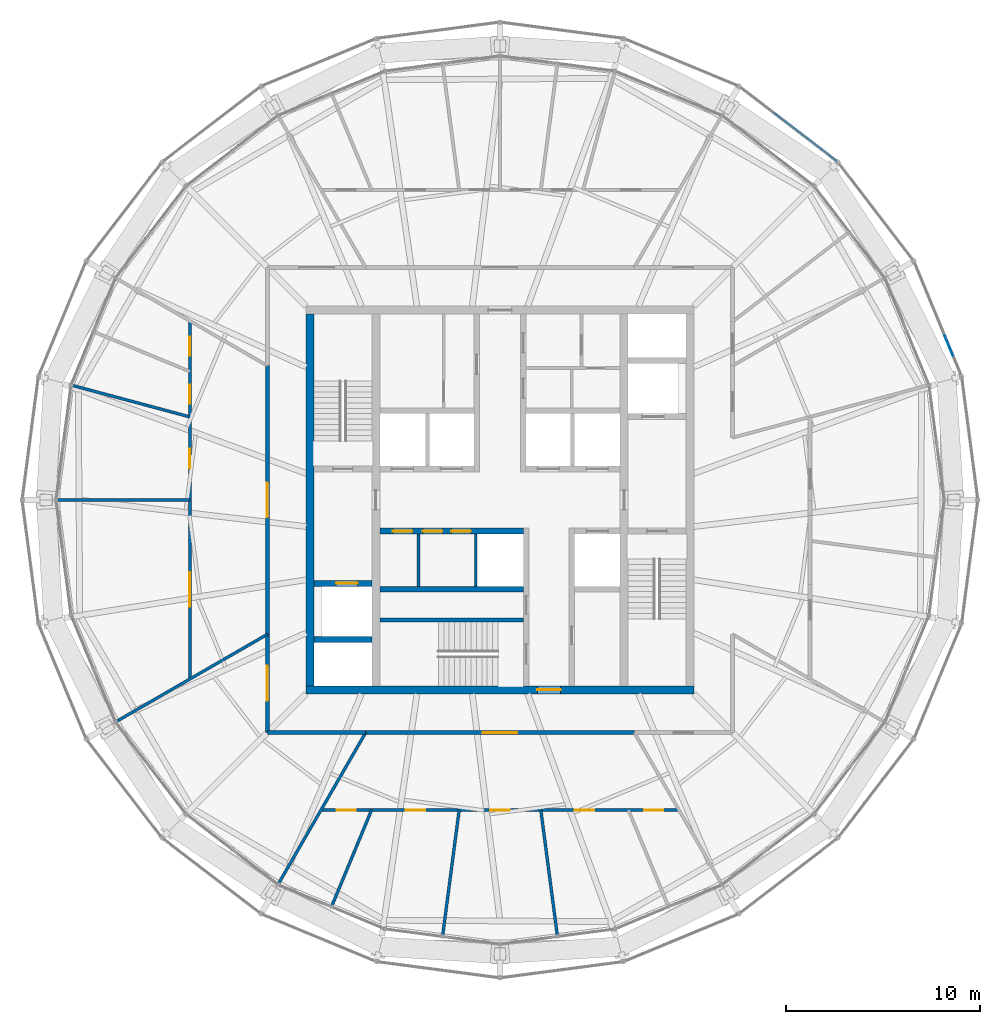
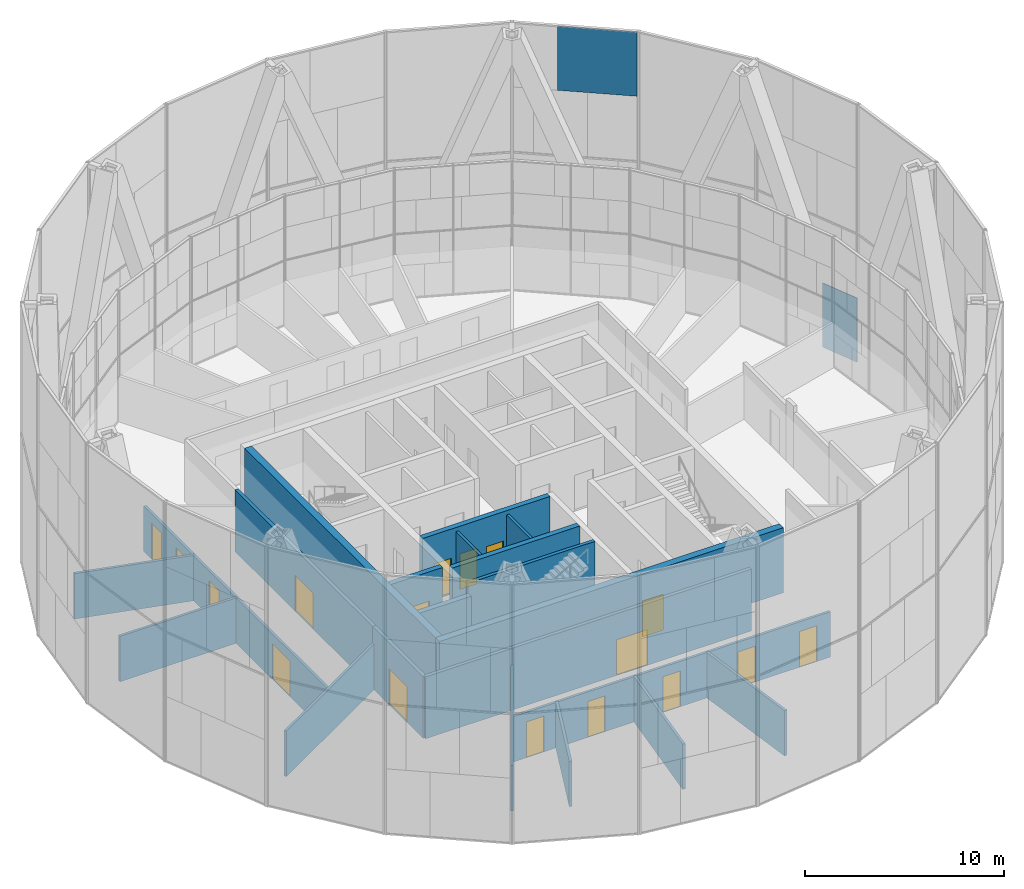
# One storey, part 19 of 23: 22 walls, 17 doors, 2 plates, 17 openings, 2 elements without a shape of their own.
"""IFC4 building model written with IfcOpenShell, lengths in metres."""

from ifc_helpers import new_model, si_unit, direction, frame, frame_2d, origin, origin_2d, place, context, subcontext, project, spatial, rectangle, extrude, material, layer, layer_set, type_object, element, fill, aggregate, save


model = new_model("IFC4")

# Units and contexts
model_context = context("Model", 3, precision=1e-05, world=origin(), true_north=direction((0.0, 1.0)))
body_context = subcontext(model_context, "Body", "Model", "MODEL_VIEW")
ifc_project = project(units=[si_unit("LENGTHUNIT", "METRE"), si_unit("AREAUNIT", "SQUARE_METRE"), si_unit("VOLUMEUNIT", "CUBIC_METRE"), si_unit("PLANEANGLEUNIT", "RADIAN"), si_unit("MASSUNIT", "GRAM", prefix="KILO")], contexts=[model_context])

# Site, building, storey
site_placement = place(None, origin())
site = spatial("IfcSite", under=ifc_project, at=site_placement, CompositionType="ELEMENT")
building_placement = place(site_placement, origin())
building = spatial("IfcBuilding", under=site, at=building_placement, Name="Golbaran Civic Tower", CompositionType="ELEMENT")
storey_placement = place(building_placement, frame((0.0, 0.0, 232.0)))
storey = spatial("IfcBuildingStorey", under=building, at=storey_placement, Name="L56", CompositionType="ELEMENT", Elevation=232.0)

# Curtain wall, plate
ifc_material_1 = material(Name="Aluminium and glass", Category="aluminium")
curtain_wall_type = type_object("IfcCurtainWallType", Name="OUTER SKIN TERRACOTTA SCREEN", PredefinedType="NOTDEFINED", material=ifc_material_1)
curtain_wall_1_placement = place(storey_placement, origin())
curtain_wall_1 = element("IfcCurtainWall", 1, at=curtain_wall_1_placement, inside=storey, type_object=curtain_wall_type, Name="Outer skin L56 facet 4 CW3", ObjectType="OUTER SKIN", PredefinedType="USERDEFINED")
ifc_material_2 = material(Name="Clear laminated glass", Category="glass")
ifc_layer_1 = layer(ifc_material_2, 0.0400390625, Name="Clear laminated glass")
ifc_layer_set_1 = layer_set([ifc_layer_1], Name="Clear laminated glass")
plate_type_1 = type_object("IfcPlateType", Name="OUTER SKIN CLEAR GLASS PANEL", PredefinedType="CURTAIN_PANEL", material=ifc_layer_set_1)
plate_1_placement = place(storey_placement, frame((15.767578125, 18.712158203125, 11.27001953125), z_axis=(0.0, 0.0, 1.0), x_axis=(-0.793353340291, 0.608761429009, 0.0)))
plate_1 = element("IfcPlate", 2, at=plate_1_placement, type_object=plate_type_1, Name="CW3 panel 1.2 part 4", PredefinedType="CURTAIN_PANEL", context=body_context, shape_type="SweptSolid", body=[
    extrude(rectangle(XDim=4.0400390625, YDim=0.0400390625, at=origin_2d()), origin(), (0.0, 0.0, 1.0), 3.93994140625),
])
aggregate(curtain_wall_1, [plate_1])

curtain_wall_2_placement = place(storey_placement, origin())
curtain_wall_2 = element("IfcCurtainWall", 3, at=curtain_wall_2_placement, inside=storey, type_object=curtain_wall_type, Name="Outer skin L56 facet 2 CW3", ObjectType="OUTER SKIN", PredefinedType="USERDEFINED")
ifc_material_3 = material(Name="Terracotta baguette screen", Category="masonry")
ifc_layer_2 = layer(ifc_material_3, 0.0400390625, Name="Terracotta baguette screen")
ifc_layer_set_2 = layer_set([ifc_layer_2], Name="Terracotta baguette screen")
plate_type_2 = type_object("IfcPlateType", Name="OUTER SKIN TERRACOTTA INFILL PANEL", PredefinedType="CURTAIN_PANEL", material=ifc_layer_set_2)
plate_2_placement = place(storey_placement, frame((23.3662109375, 7.46435546875, -0.6298828125), z_axis=(0.0, 0.0, 1.0), x_axis=(-0.382683432381, 0.923879532505, 0.0)))
plate_2 = element("IfcPlate", 4, at=plate_2_placement, type_object=plate_type_2, Name="CW3 infill panel 1.1 part 1", PredefinedType="CURTAIN_PANEL", context=body_context, shape_type="SweptSolid", body=[
    extrude(rectangle(XDim=2.18505859375, YDim=0.0400390625, at=origin_2d()), origin(), (0.0, 0.0, 1.0), 3.93994140625),
])
aggregate(curtain_wall_2, [plate_2])

# Walls
ifc_material_4 = material(Name="Concrete block", Category="concrete")
ifc_layer_3 = layer(ifc_material_4, 0.14990234375, Name="Concrete block")
ifc_layer_set_3 = layer_set([ifc_layer_3], Name="Concrete block")
wall_type_1 = type_object("IfcWallType", Name="BLOCKWORK PARTITION 150", PredefinedType="PARTITIONING", material=ifc_layer_set_3)
for number, where, z_axis, x_axis, name in (
    (5, (-4.199951171875, -1.75, 0.0), (0.0, 0.0, 1.0), (0.0, -1.0, 0.0), "Core room partition HP0 L56"),
    (6, (-1.25, -1.75, 0.0), (0.0, 0.0, 1.0), (0.0, -1.0, 0.0), "Lift H3 hoistway west wall L56"),
):
    element("IfcWall", number, at=place(storey_placement, frame(where, z_axis=z_axis, x_axis=x_axis)), inside=storey, type_object=wall_type_1, Name=name, PredefinedType="PARTITIONING", context=body_context, shape_type="SweptSolid", body=[
        extrude(rectangle(XDim=2.699951171875, YDim=0.14990234375, at=frame_2d((1.35009765625, 0.0))), origin(), (0.0, 0.0, 1.0), 3.75),
    ])

# Wall, opening, door
ifc_material_5 = material(Name="Concrete C50/60", Category="concrete")
ifc_layer_4 = layer(ifc_material_5, 0.39990234375, Name="Concrete C50/60")
ifc_layer_set_4 = layer_set([ifc_layer_4], Name="Concrete C50/60")
wall_type_2 = type_object("IfcWallType", Name="CORE WALL CONCRETE 400", PredefinedType="SOLIDWALL", material=ifc_layer_set_4)
wall_1_placement = place(storey_placement, frame((10.0, -9.800048828125, 0.0), z_axis=(0.0, 0.0, 1.0), x_axis=(-1.0, 0.0, 0.0)))
wall_1 = element("IfcWall", 7, at=wall_1_placement, inside=storey, type_object=wall_type_2, Name="Core wall CS L56", PredefinedType="SOLIDWALL", context=body_context, shape_type="SweptSolid", body=[
    extrude(rectangle(XDim=20.0, YDim=0.39990234375, at=frame_2d((10.0, 0.0))), origin(), (0.0, 0.0, 1.0), 4.0),
])
opening_1_placement = place(wall_1_placement, frame((6.875, 0.0, 0.0)))
opening_1 = element("IfcOpeningElement", 8, at=opening_1_placement, cuts=wall_1, Name="Opening L56.CS", PredefinedType="OPENING", context=body_context, shape_type="SweptSolid", body=[
    extrude(rectangle(XDim=1.199951171875, YDim=2.199951171875, at=frame_2d((0.60009765625, 1.10009765625))), frame((0.0, 0.2099609375, 0.0), z_axis=(0.0, -1.0, 0.0), x_axis=(1.0, 0.0, 0.0)), (0.0, 0.0, 1.0), 0.419921875),
])
ifc_material_6 = material(Name="Timber door set in steel frame", Category="steel")
door_type_1 = type_object("IfcDoorType", Name="CORE DOOR 1200x2200", OperationType="DOUBLE_DOOR_SINGLE_SWING", PredefinedType="DOOR", material=ifc_material_6)
door_1_placement = place(opening_1_placement, origin())
door_1 = element("IfcDoor", 9, at=door_1_placement, inside=storey, type_object=door_type_1, Name="Core door south", OperationType="DOUBLE_DOOR_SINGLE_SWING", OverallHeight=2.199951171875, OverallWidth=1.199951171875, PredefinedType="DOOR", context=body_context, shape_type="SweptSolid", body=[
    extrude(rectangle(XDim=1.199951171875, YDim=2.199951171875, at=frame_2d((0.60009765625, 1.10009765625))), frame((0.0, 0.02490234375, 0.0), z_axis=(0.0, -1.0, 0.0), x_axis=(1.0, 0.0, 0.0)), (0.0, 0.0, 1.0), 0.050048828125),
])
fill(opening_1, door_1)

# Wall
wall_2_placement = place(storey_placement, frame((-9.800048828125, 9.60009765625, 0.0), z_axis=(0.0, 0.0, 1.0), x_axis=(0.0, -1.0, 0.0)))
element("IfcWall", 10, at=wall_2_placement, inside=storey, type_object=wall_type_2, Name="Core wall CW L56", PredefinedType="SOLIDWALL", context=body_context, shape_type="SweptSolid", body=[
    extrude(rectangle(XDim=19.2001953125, YDim=0.39990234375, at=frame_2d((9.60009765625, 0.0))), origin(), (0.0, 0.0, 1.0), 4.0),
])

# Wall, opening, door
ifc_material_7 = material(Name="Gypsum board on steel studs, fire-rated", Category="steel")
ifc_layer_5 = layer(ifc_material_7, 0.199951171875, Name="Gypsum board on steel studs, fire-rated")
ifc_layer_set_5 = layer_set([ifc_layer_5], Name="Gypsum board on steel studs, fire-rated")
wall_type_3 = type_object("IfcWallType", Name="CORRIDOR WALL 200", PredefinedType="PARTITIONING", material=ifc_layer_set_5)
wall_3_placement = place(storey_placement, frame((-12.0, 6.92822265625, 0.0), z_axis=(0.0, 0.0, 1.0), x_axis=(0.0, -1.0, 0.0)))
wall_3 = element("IfcWall", 11, at=wall_3_placement, inside=storey, type_object=wall_type_3, Name="Corridor wall L56", PredefinedType="PARTITIONING", context=body_context, shape_type="SweptSolid", body=[
    extrude(rectangle(XDim=13.8564453125, YDim=0.199951171875, at=frame_2d((6.92822265625, 0.0))), origin(), (0.0, 0.0, 1.0), 3.800048828125),
])
opening_2_placement = place(wall_3_placement, frame((6.0283203125, 0.0, 0.0)))
opening_2 = element("IfcOpeningElement", 12, at=opening_2_placement, cuts=wall_3, Name="Opening L56.24", PredefinedType="OPENING", context=body_context, shape_type="SweptSolid", body=[
    extrude(rectangle(XDim=1.800048828125, YDim=2.199951171875, at=frame_2d((0.89990234375, 1.10009765625))), frame((0.0, 0.10986328125, 0.0), z_axis=(0.0, -1.0, 0.0), x_axis=(1.0, 0.0, 0.0)), (0.0, 0.0, 1.0), 0.219970703125),
])
door_type_2 = type_object("IfcDoorType", Name="OFFICE DOUBLE DOOR 1800x2200", OperationType="DOUBLE_DOOR_SINGLE_SWING", PredefinedType="DOOR", material=ifc_material_6)
door_2_placement = place(opening_2_placement, origin())
door_2 = element("IfcDoor", 13, at=door_2_placement, inside=storey, type_object=door_type_2, Name="Open Office door L56", OperationType="DOUBLE_DOOR_SINGLE_SWING", OverallHeight=2.199951171875, OverallWidth=1.800048828125, PredefinedType="DOOR", context=body_context, shape_type="SweptSolid", body=[
    extrude(rectangle(XDim=1.800048828125, YDim=2.199951171875, at=frame_2d((0.89990234375, 1.10009765625))), frame((0.0, 0.02490234375, 0.0), z_axis=(0.0, -1.0, 0.0), x_axis=(1.0, 0.0, 0.0)), (0.0, 0.0, 1.0), 0.050048828125),
])
fill(opening_2, door_2)

wall_4_placement = place(storey_placement, frame((-12.0, -6.92822265625, 0.0), z_axis=(0.0, 0.0, 1.0), x_axis=(0.0, -1.0, 0.0)))
wall_4 = element("IfcWall", 14, at=wall_4_placement, inside=storey, type_object=wall_type_3, Name="Corridor wall L56", PredefinedType="PARTITIONING", context=body_context, shape_type="SweptSolid", body=[
    extrude(rectangle(XDim=5.07177734375, YDim=0.199951171875, at=frame_2d((2.535888671875, 0.0))), origin(), (0.0, 0.0, 1.0), 3.800048828125),
])
opening_3_placement = place(wall_4_placement, frame((1.635986328125, 0.0, 0.0)))
opening_3 = element("IfcOpeningElement", 15, at=opening_3_placement, cuts=wall_4, Name="Opening L56.25", PredefinedType="OPENING", context=body_context, shape_type="SweptSolid", body=[
    extrude(rectangle(XDim=1.800048828125, YDim=2.199951171875, at=frame_2d((0.89990234375, 1.10009765625))), frame((0.0, 0.10986328125, 0.0), z_axis=(0.0, -1.0, 0.0), x_axis=(1.0, 0.0, 0.0)), (0.0, 0.0, 1.0), 0.219970703125),
])
door_3_placement = place(opening_3_placement, origin())
door_3 = element("IfcDoor", 16, at=door_3_placement, inside=storey, type_object=door_type_2, Name="Open Office door L56", OperationType="DOUBLE_DOOR_SINGLE_SWING", OverallHeight=2.199951171875, OverallWidth=1.800048828125, PredefinedType="DOOR", context=body_context, shape_type="SweptSolid", body=[
    extrude(rectangle(XDim=1.800048828125, YDim=2.199951171875, at=frame_2d((0.89990234375, 1.10009765625))), frame((0.0, 0.02490234375, 0.0), z_axis=(0.0, -1.0, 0.0), x_axis=(1.0, 0.0, 0.0)), (0.0, 0.0, 1.0), 0.050048828125),
])
fill(opening_3, door_3)

# Wall
wall_5_placement = place(storey_placement, frame((-12.0, -12.0, 0.0), z_axis=(0.0, 0.0, 1.0), x_axis=(1.0, 0.0, 0.0)))
element("IfcWall", 17, at=wall_5_placement, inside=storey, type_object=wall_type_3, Name="Corridor wall L56", PredefinedType="PARTITIONING", context=body_context, shape_type="SweptSolid", body=[
    extrude(rectangle(XDim=5.07177734375, YDim=0.199951171875, at=frame_2d((2.535888671875, 0.0))), origin(), (0.0, 0.0, 1.0), 3.800048828125),
])

# Wall, opening, door
wall_6_placement = place(storey_placement, frame((-6.92822265625, -12.0, 0.0), z_axis=(0.0, 0.0, 1.0), x_axis=(1.0, 0.0, 0.0)))
wall_6 = element("IfcWall", 18, at=wall_6_placement, inside=storey, type_object=wall_type_3, Name="Corridor wall L56", PredefinedType="PARTITIONING", context=body_context, shape_type="SweptSolid", body=[
    extrude(rectangle(XDim=13.8564453125, YDim=0.199951171875, at=frame_2d((6.92822265625, 0.0))), origin(), (0.0, 0.0, 1.0), 3.800048828125),
])
opening_4_placement = place(wall_6_placement, frame((6.0283203125, 0.0, 0.0)))
opening_4 = element("IfcOpeningElement", 19, at=opening_4_placement, cuts=wall_6, Name="Opening L56.26", PredefinedType="OPENING", context=body_context, shape_type="SweptSolid", body=[
    extrude(rectangle(XDim=1.800048828125, YDim=2.199951171875, at=frame_2d((0.89990234375, 1.10009765625))), frame((0.0, 0.10986328125, 0.0), z_axis=(0.0, -1.0, 0.0), x_axis=(1.0, 0.0, 0.0)), (0.0, 0.0, 1.0), 0.219970703125),
])
door_4_placement = place(opening_4_placement, origin())
door_4 = element("IfcDoor", 20, at=door_4_placement, inside=storey, type_object=door_type_2, Name="Secretariat door L56", OperationType="DOUBLE_DOOR_SINGLE_SWING", OverallHeight=2.199951171875, OverallWidth=1.800048828125, PredefinedType="DOOR", context=body_context, shape_type="SweptSolid", body=[
    extrude(rectangle(XDim=1.800048828125, YDim=2.199951171875, at=frame_2d((0.89990234375, 1.10009765625))), frame((0.0, 0.02490234375, 0.0), z_axis=(0.0, -1.0, 0.0), x_axis=(1.0, 0.0, 0.0)), (0.0, 0.0, 1.0), 0.050048828125),
])
fill(opening_4, door_4)

# Walls
ifc_material_8 = material(Name="Gypsum board on steel studs", Category="steel")
ifc_layer_6 = layer(ifc_material_8, 0.14990234375, Name="Gypsum board on steel studs")
ifc_layer_set_6 = layer_set([ifc_layer_6], Name="Gypsum board on steel studs")
wall_type_4 = type_object("IfcWallType", Name="OFFICE PARTITION 150", PredefinedType="PARTITIONING", material=ifc_layer_set_6)
for number, where, z_axis, x_axis, name in (
    (21, (-12.0, -6.92822265625, 0.0), (0.0, 0.0, 1.0), (-0.866025969295, -0.499999020506, 0.0), "Partition 210 L56"),
    (22, (-6.92822265625, -12.0, 0.0), (0.0, 0.0, 1.0), (-0.499999020506, -0.866025969295, 0.0), "Partition 240 L56"),
):
    element("IfcWall", number, at=place(storey_placement, frame(where, z_axis=z_axis, x_axis=x_axis)), inside=storey, type_object=wall_type_4, Name=name, PredefinedType="PARTITIONING", context=body_context, shape_type="SweptSolid", body=[
        extrude(rectangle(XDim=8.9658203125, YDim=0.14990234375, at=frame_2d((4.48291015625, 0.0))), origin(), (0.0, 0.0, 1.0), 2.7900390625),
    ])

# Wall, openings, doors
wall_7_placement = place(storey_placement, frame((-16.0, 9.237548828125, 0.0), z_axis=(0.0, 0.0, 1.0), x_axis=(0.0, -1.0, 0.0)))
wall_7 = element("IfcWall", 23, at=wall_7_placement, inside=storey, type_object=wall_type_4, Name="Suite partition L56", PredefinedType="PARTITIONING", context=body_context, shape_type="SweptSolid", body=[
    extrude(rectangle(XDim=18.47509765625, YDim=0.14990234375, at=frame_2d((9.237548828125, 0.0))), origin(), (0.0, 0.0, 1.0), 2.7900390625),
])
opening_5_placement = place(wall_7_placement, frame((0.80517578125, 0.0, 0.0)))
opening_5 = element("IfcOpeningElement", 24, at=opening_5_placement, cuts=wall_7, Name="Opening L56.09", PredefinedType="OPENING", context=body_context, shape_type="SweptSolid", body=[
    extrude(rectangle(XDim=1.0, YDim=2.199951171875, at=frame_2d((0.5, 1.10009765625))), frame((0.0, 0.0849609375, 0.0), z_axis=(0.0, -1.0, 0.0), x_axis=(1.0, 0.0, 0.0)), (0.0, 0.0, 1.0), 0.169921875),
])
opening_6_placement = place(wall_7_placement, frame((3.2802734375, 0.0, 0.0)))
opening_6 = element("IfcOpeningElement", 25, at=opening_6_placement, cuts=wall_7, Name="Opening L56.10", PredefinedType="OPENING", context=body_context, shape_type="SweptSolid", body=[
    extrude(rectangle(XDim=1.0, YDim=2.199951171875, at=frame_2d((0.5, 1.10009765625))), frame((0.0, 0.0849609375, 0.0), z_axis=(0.0, -1.0, 0.0), x_axis=(1.0, 0.0, 0.0)), (0.0, 0.0, 1.0), 0.169921875),
])
opening_7_placement = place(wall_7_placement, frame((6.593994140625, 0.0, 0.0)))
opening_7 = element("IfcOpeningElement", 26, at=opening_7_placement, cuts=wall_7, Name="Opening L56.11", PredefinedType="OPENING", context=body_context, shape_type="SweptSolid", body=[
    extrude(rectangle(XDim=1.0, YDim=2.199951171875, at=frame_2d((0.5, 1.10009765625))), frame((0.0, 0.0849609375, 0.0), z_axis=(0.0, -1.0, 0.0), x_axis=(1.0, 0.0, 0.0)), (0.0, 0.0, 1.0), 0.169921875),
])
opening_8_placement = place(wall_7_placement, frame((12.956298828125, 0.0, 0.0)))
opening_8 = element("IfcOpeningElement", 27, at=opening_8_placement, cuts=wall_7, Name="Opening L56.12", PredefinedType="OPENING", context=body_context, shape_type="SweptSolid", body=[
    extrude(rectangle(XDim=1.800048828125, YDim=2.199951171875, at=frame_2d((0.89990234375, 1.10009765625))), frame((0.0, 0.0849609375, 0.0), z_axis=(0.0, -1.0, 0.0), x_axis=(1.0, 0.0, 0.0)), (0.0, 0.0, 1.0), 0.169921875),
])
door_type_3 = type_object("IfcDoorType", Name="OFFICE DOOR 1000x2200", OperationType="SINGLE_SWING_LEFT", PredefinedType="DOOR", material=ifc_material_6)
door_5_placement = place(opening_5_placement, origin())
door_5 = element("IfcDoor", 28, at=door_5_placement, inside=storey, type_object=door_type_3, Name="Office door L56", OperationType="SINGLE_SWING_LEFT", OverallHeight=2.199951171875, OverallWidth=1.0, PredefinedType="DOOR", context=body_context, shape_type="SweptSolid", body=[
    extrude(rectangle(XDim=1.0, YDim=2.199951171875, at=frame_2d((0.5, 1.10009765625))), frame((0.0, 0.02490234375, 0.0), z_axis=(0.0, -1.0, 0.0), x_axis=(1.0, 0.0, 0.0)), (0.0, 0.0, 1.0), 0.050048828125),
])
fill(opening_5, door_5)
door_6_placement = place(opening_6_placement, origin())
door_6 = element("IfcDoor", 29, at=door_6_placement, inside=storey, type_object=door_type_3, Name="Office door L56", OperationType="SINGLE_SWING_LEFT", OverallHeight=2.199951171875, OverallWidth=1.0, PredefinedType="DOOR", context=body_context, shape_type="SweptSolid", body=[
    extrude(rectangle(XDim=1.0, YDim=2.199951171875, at=frame_2d((0.5, 1.10009765625))), frame((0.0, 0.02490234375, 0.0), z_axis=(0.0, -1.0, 0.0), x_axis=(1.0, 0.0, 0.0)), (0.0, 0.0, 1.0), 0.050048828125),
])
fill(opening_6, door_6)
door_7_placement = place(opening_7_placement, origin())
door_7 = element("IfcDoor", 30, at=door_7_placement, inside=storey, type_object=door_type_3, Name="Office door L56", OperationType="SINGLE_SWING_LEFT", OverallHeight=2.199951171875, OverallWidth=1.0, PredefinedType="DOOR", context=body_context, shape_type="SweptSolid", body=[
    extrude(rectangle(XDim=1.0, YDim=2.199951171875, at=frame_2d((0.5, 1.10009765625))), frame((0.0, 0.02490234375, 0.0), z_axis=(0.0, -1.0, 0.0), x_axis=(1.0, 0.0, 0.0)), (0.0, 0.0, 1.0), 0.050048828125),
])
fill(opening_7, door_7)
door_8_placement = place(opening_8_placement, origin())
door_8 = element("IfcDoor", 31, at=door_8_placement, inside=storey, type_object=door_type_2, Name="Meeting Room door L56", OperationType="DOUBLE_DOOR_SINGLE_SWING", OverallHeight=2.199951171875, OverallWidth=1.800048828125, PredefinedType="DOOR", context=body_context, shape_type="SweptSolid", body=[
    extrude(rectangle(XDim=1.800048828125, YDim=2.199951171875, at=frame_2d((0.89990234375, 1.10009765625))), frame((0.0, 0.02490234375, 0.0), z_axis=(0.0, -1.0, 0.0), x_axis=(1.0, 0.0, 0.0)), (0.0, 0.0, 1.0), 0.050048828125),
])
fill(opening_8, door_8)

# Walls
wall_8_placement = place(storey_placement, frame((-16.0, 4.287109375, 0.0), z_axis=(0.0, 0.0, 1.0), x_axis=(-0.965927328821, 0.258813437513, 0.0)))
element("IfcWall", 32, at=wall_8_placement, inside=storey, type_object=wall_type_4, Name="Partition 165 L56", PredefinedType="PARTITIONING", context=body_context, shape_type="SweptSolid", body=[
    extrude(rectangle(XDim=6.2578125, YDim=0.14990234375, at=frame_2d((3.12890625, 0.0))), origin(), (0.0, 0.0, 1.0), 2.7900390625),
])
wall_9_placement = place(storey_placement, frame((-16.0, 0.0, 0.0), z_axis=(0.0, 0.0, 1.0), x_axis=(-1.0, 0.0, 0.0)))
element("IfcWall", 33, at=wall_9_placement, inside=storey, type_object=wall_type_4, Name="Partition 180 L56", PredefinedType="PARTITIONING", context=body_context, shape_type="SweptSolid", body=[
    extrude(rectangle(XDim=6.822265625, YDim=0.14990234375, at=frame_2d((3.4111328125, 0.0))), origin(), (0.0, 0.0, 1.0), 2.7900390625),
])

# Wall, openings, doors
wall_10_placement = place(storey_placement, frame((-9.237548828125, -16.0, 0.0), z_axis=(0.0, 0.0, 1.0), x_axis=(1.0, 0.0, 0.0)))
wall_10 = element("IfcWall", 34, at=wall_10_placement, inside=storey, type_object=wall_type_4, Name="Suite partition L56", PredefinedType="PARTITIONING", context=body_context, shape_type="SweptSolid", body=[
    extrude(rectangle(XDim=18.47509765625, YDim=0.14990234375, at=frame_2d((9.237548828125, 0.0))), origin(), (0.0, 0.0, 1.0), 2.7900390625),
])
opening_9_placement = place(wall_10_placement, frame((0.80517578125, 0.0, 0.0)))
opening_9 = element("IfcOpeningElement", 35, at=opening_9_placement, cuts=wall_10, Name="Opening L56.13", PredefinedType="OPENING", context=body_context, shape_type="SweptSolid", body=[
    extrude(rectangle(XDim=1.0, YDim=2.199951171875, at=frame_2d((0.5, 1.10009765625))), frame((0.0, 0.0849609375, 0.0), z_axis=(0.0, -1.0, 0.0), x_axis=(1.0, 0.0, 0.0)), (0.0, 0.0, 1.0), 0.169921875),
])
opening_10_placement = place(wall_10_placement, frame((4.37060546875, 0.0, 0.0)))
opening_10 = element("IfcOpeningElement", 36, at=opening_10_placement, cuts=wall_10, Name="Opening L56.14", PredefinedType="OPENING", context=body_context, shape_type="SweptSolid", body=[
    extrude(rectangle(XDim=1.0, YDim=2.199951171875, at=frame_2d((0.5, 1.10009765625))), frame((0.0, 0.0849609375, 0.0), z_axis=(0.0, -1.0, 0.0), x_axis=(1.0, 0.0, 0.0)), (0.0, 0.0, 1.0), 0.169921875),
])
opening_11_placement = place(wall_10_placement, frame((8.737548828125, 0.0, 0.0)))
opening_11 = element("IfcOpeningElement", 37, at=opening_11_placement, cuts=wall_10, Name="Opening L56.15", PredefinedType="OPENING", context=body_context, shape_type="SweptSolid", body=[
    extrude(rectangle(XDim=1.0, YDim=2.199951171875, at=frame_2d((0.5, 1.10009765625))), frame((0.0, 0.0849609375, 0.0), z_axis=(0.0, -1.0, 0.0), x_axis=(1.0, 0.0, 0.0)), (0.0, 0.0, 1.0), 0.169921875),
])
opening_12_placement = place(wall_10_placement, frame((13.1044921875, 0.0, 0.0)))
opening_12 = element("IfcOpeningElement", 38, at=opening_12_placement, cuts=wall_10, Name="Opening L56.16", PredefinedType="OPENING", context=body_context, shape_type="SweptSolid", body=[
    extrude(rectangle(XDim=1.0, YDim=2.199951171875, at=frame_2d((0.5, 1.10009765625))), frame((0.0, 0.0849609375, 0.0), z_axis=(0.0, -1.0, 0.0), x_axis=(1.0, 0.0, 0.0)), (0.0, 0.0, 1.0), 0.169921875),
])
opening_13_placement = place(wall_10_placement, frame((16.670166015625, 0.0, 0.0)))
opening_13 = element("IfcOpeningElement", 39, at=opening_13_placement, cuts=wall_10, Name="Opening L56.17", PredefinedType="OPENING", context=body_context, shape_type="SweptSolid", body=[
    extrude(rectangle(XDim=1.0, YDim=2.199951171875, at=frame_2d((0.5, 1.10009765625))), frame((0.0, 0.0849609375, 0.0), z_axis=(0.0, -1.0, 0.0), x_axis=(1.0, 0.0, 0.0)), (0.0, 0.0, 1.0), 0.169921875),
])
door_9_placement = place(opening_9_placement, origin())
door_9 = element("IfcDoor", 40, at=door_9_placement, inside=storey, type_object=door_type_3, Name="Assistants' Office door L56", OperationType="SINGLE_SWING_LEFT", OverallHeight=2.199951171875, OverallWidth=1.0, PredefinedType="DOOR", context=body_context, shape_type="SweptSolid", body=[
    extrude(rectangle(XDim=1.0, YDim=2.199951171875, at=frame_2d((0.5, 1.10009765625))), frame((0.0, 0.02490234375, 0.0), z_axis=(0.0, -1.0, 0.0), x_axis=(1.0, 0.0, 0.0)), (0.0, 0.0, 1.0), 0.050048828125),
])
fill(opening_9, door_9)
door_10_placement = place(opening_10_placement, origin())
door_10 = element("IfcDoor", 41, at=door_10_placement, inside=storey, type_object=door_type_3, Name="Office door L56", OperationType="SINGLE_SWING_LEFT", OverallHeight=2.199951171875, OverallWidth=1.0, PredefinedType="DOOR", context=body_context, shape_type="SweptSolid", body=[
    extrude(rectangle(XDim=1.0, YDim=2.199951171875, at=frame_2d((0.5, 1.10009765625))), frame((0.0, 0.02490234375, 0.0), z_axis=(0.0, -1.0, 0.0), x_axis=(1.0, 0.0, 0.0)), (0.0, 0.0, 1.0), 0.050048828125),
])
fill(opening_10, door_10)
door_11_placement = place(opening_11_placement, origin())
door_11 = element("IfcDoor", 42, at=door_11_placement, inside=storey, type_object=door_type_3, Name="Assistants' Office door L56", OperationType="SINGLE_SWING_LEFT", OverallHeight=2.199951171875, OverallWidth=1.0, PredefinedType="DOOR", context=body_context, shape_type="SweptSolid", body=[
    extrude(rectangle(XDim=1.0, YDim=2.199951171875, at=frame_2d((0.5, 1.10009765625))), frame((0.0, 0.02490234375, 0.0), z_axis=(0.0, -1.0, 0.0), x_axis=(1.0, 0.0, 0.0)), (0.0, 0.0, 1.0), 0.050048828125),
])
fill(opening_11, door_11)
door_12_placement = place(opening_12_placement, origin())
door_12 = element("IfcDoor", 43, at=door_12_placement, inside=storey, type_object=door_type_3, Name="Office door L56", OperationType="SINGLE_SWING_RIGHT", OverallHeight=2.199951171875, OverallWidth=1.0, PredefinedType="DOOR", context=body_context, shape_type="SweptSolid", body=[
    extrude(rectangle(XDim=1.0, YDim=2.199951171875, at=frame_2d((0.5, 1.10009765625))), frame((0.0, 0.02490234375, 0.0), z_axis=(0.0, -1.0, 0.0), x_axis=(1.0, 0.0, 0.0)), (0.0, 0.0, 1.0), 0.050048828125),
])
fill(opening_12, door_12)
door_13_placement = place(opening_13_placement, origin())
door_13 = element("IfcDoor", 44, at=door_13_placement, inside=storey, type_object=door_type_3, Name="Assistants' Office door L56", OperationType="SINGLE_SWING_RIGHT", OverallHeight=2.199951171875, OverallWidth=1.0, PredefinedType="DOOR", context=body_context, shape_type="SweptSolid", body=[
    extrude(rectangle(XDim=1.0, YDim=2.199951171875, at=frame_2d((0.5, 1.10009765625))), frame((0.0, 0.02490234375, 0.0), z_axis=(0.0, -1.0, 0.0), x_axis=(1.0, 0.0, 0.0)), (0.0, 0.0, 1.0), 0.050048828125),
])
fill(opening_13, door_13)

# Walls
wall_11_placement = place(storey_placement, frame((-6.62744140625, -16.0, 0.0), z_axis=(0.0, 0.0, 1.0), x_axis=(-0.382678083764, -0.923881747956, 0.0)))
element("IfcWall", 45, at=wall_11_placement, inside=storey, type_object=wall_type_4, Name="Partition 247.5 L56", PredefinedType="PARTITIONING", context=body_context, shape_type="SweptSolid", body=[
    extrude(rectangle(XDim=5.30859375, YDim=0.14990234375, at=frame_2d((2.654296875, 0.0))), origin(), (0.0, 0.0, 1.0), 2.7900390625),
])
for number, where, z_axis, x_axis, name in (
    (46, (-2.1064453125, -16.0, 0.0), (0.0, 0.0, 1.0), (-0.130519721425, -0.991445713249, 0.0), "Partition 262.5 L56"),
    (47, (2.1064453125, -16.0, 0.0), (0.0, 0.0, 1.0), (0.130519721425, -0.991445713249, 0.0), "Partition 277.5 L56"),
):
    element("IfcWall", number, at=place(storey_placement, frame(where, z_axis=z_axis, x_axis=x_axis)), inside=storey, type_object=wall_type_4, Name=name, PredefinedType="PARTITIONING", context=body_context, shape_type="SweptSolid", body=[
        extrude(rectangle(XDim=6.48876953125, YDim=0.14990234375, at=frame_2d((3.244384765625, 0.0))), origin(), (0.0, 0.0, 1.0), 2.7900390625),
    ])
ifc_layer_7 = layer(ifc_material_5, 0.199951171875, Name="Concrete C50/60")
ifc_layer_set_7 = layer_set([ifc_layer_7], Name="Concrete C50/60")
wall_type_5 = type_object("IfcWallType", Name="SHAFT WALL CONCRETE 200", PredefinedType="SOLIDWALL", material=ifc_layer_set_7)
wall_12_placement = place(storey_placement, frame((-6.199951171875, -6.199951171875, 0.0), z_axis=(0.0, 0.0, 1.0), x_axis=(1.0, 0.0, 0.0)))
element("IfcWall", 48, at=wall_12_placement, inside=storey, type_object=wall_type_5, Name="Core wall S3N L56", PredefinedType="SOLIDWALL", context=body_context, shape_type="SweptSolid", body=[
    extrude(rectangle(XDim=7.39990234375, YDim=0.199951171875, at=frame_2d((3.699951171875, 0.0))), origin(), (0.0, 0.0, 1.0), 4.0),
])

# Wall, openings, doors
ifc_layer_8 = layer(ifc_material_5, 0.300048828125, Name="Concrete C50/60")
ifc_layer_set_8 = layer_set([ifc_layer_8], Name="Concrete C50/60")
wall_type_6 = type_object("IfcWallType", Name="SHAFT WALL CONCRETE 300", PredefinedType="SOLIDWALL", material=ifc_layer_set_8)
wall_13_placement = place(storey_placement, frame((-6.199951171875, -1.60009765625, 0.0), z_axis=(0.0, 0.0, 1.0), x_axis=(1.0, 0.0, 0.0)))
wall_13 = element("IfcWall", 49, at=wall_13_placement, inside=storey, type_object=wall_type_6, Name="Core wall FSW L56", PredefinedType="SOLIDWALL", context=body_context, shape_type="SweptSolid", body=[
    extrude(rectangle(XDim=7.39990234375, YDim=0.300048828125, at=frame_2d((3.699951171875, 0.0))), origin(), (0.0, 0.0, 1.0), 4.0),
])
opening_14_placement = place(wall_13_placement, frame((0.675048828125, 0.0, 0.0)))
opening_14 = element("IfcOpeningElement", 50, at=opening_14_placement, cuts=wall_13, Name="Opening L56.H1R", PredefinedType="OPENING", context=body_context, shape_type="SweptSolid", body=[
    extrude(rectangle(XDim=1.0, YDim=2.199951171875, at=frame_2d((0.5, 1.10009765625))), frame((0.0, 0.159912109375, 0.0), z_axis=(0.0, -1.0, 0.0), x_axis=(1.0, 0.0, 0.0)), (0.0, 0.0, 1.0), 0.320068359375),
])
opening_15_placement = place(wall_13_placement, frame((2.22509765625, 0.0, 0.0)))
opening_15 = element("IfcOpeningElement", 51, at=opening_15_placement, cuts=wall_13, Name="Opening L56.H2R", PredefinedType="OPENING", context=body_context, shape_type="SweptSolid", body=[
    extrude(rectangle(XDim=1.0, YDim=2.199951171875, at=frame_2d((0.5, 1.10009765625))), frame((0.0, 0.159912109375, 0.0), z_axis=(0.0, -1.0, 0.0), x_axis=(1.0, 0.0, 0.0)), (0.0, 0.0, 1.0), 0.320068359375),
])
opening_16_placement = place(wall_13_placement, frame((3.695068359375, 0.0, 0.0)))
opening_16 = element("IfcOpeningElement", 52, at=opening_16_placement, cuts=wall_13, Name="Opening L56.H3R", PredefinedType="OPENING", context=body_context, shape_type="SweptSolid", body=[
    extrude(rectangle(XDim=1.0, YDim=2.199951171875, at=frame_2d((0.5, 1.10009765625))), frame((0.0, 0.159912109375, 0.0), z_axis=(0.0, -1.0, 0.0), x_axis=(1.0, 0.0, 0.0)), (0.0, 0.0, 1.0), 0.320068359375),
])
door_type_4 = type_object("IfcDoorType", Name="CORE ROOM DOOR 1000x2200", OperationType="SINGLE_SWING_LEFT", PredefinedType="DOOR", material=ifc_material_6)
door_14_placement = place(opening_14_placement, origin())
door_14 = element("IfcDoor", 53, at=door_14_placement, inside=storey, type_object=door_type_4, Name="Floor Store door", OperationType="SINGLE_SWING_LEFT", OverallHeight=2.199951171875, OverallWidth=1.0, PredefinedType="DOOR", context=body_context, shape_type="SweptSolid", body=[
    extrude(rectangle(XDim=1.0, YDim=2.199951171875, at=frame_2d((0.5, 1.10009765625))), frame((0.0, 0.02490234375, 0.0), z_axis=(0.0, -1.0, 0.0), x_axis=(1.0, 0.0, 0.0)), (0.0, 0.0, 1.0), 0.050048828125),
])
fill(opening_14, door_14)
door_15_placement = place(opening_15_placement, origin())
door_15 = element("IfcDoor", 54, at=door_15_placement, inside=storey, type_object=door_type_4, Name="Mail and Print Room door", OperationType="SINGLE_SWING_LEFT", OverallHeight=2.199951171875, OverallWidth=1.0, PredefinedType="DOOR", context=body_context, shape_type="SweptSolid", body=[
    extrude(rectangle(XDim=1.0, YDim=2.199951171875, at=frame_2d((0.5, 1.10009765625))), frame((0.0, 0.02490234375, 0.0), z_axis=(0.0, -1.0, 0.0), x_axis=(1.0, 0.0, 0.0)), (0.0, 0.0, 1.0), 0.050048828125),
])
fill(opening_15, door_15)
door_16_placement = place(opening_16_placement, origin())
door_16 = element("IfcDoor", 55, at=door_16_placement, inside=storey, type_object=door_type_4, Name="Mail and Print Room door", OperationType="SINGLE_SWING_RIGHT", OverallHeight=2.199951171875, OverallWidth=1.0, PredefinedType="DOOR", context=body_context, shape_type="SweptSolid", body=[
    extrude(rectangle(XDim=1.0, YDim=2.199951171875, at=frame_2d((0.5, 1.10009765625))), frame((0.0, 0.02490234375, 0.0), z_axis=(0.0, -1.0, 0.0), x_axis=(1.0, 0.0, 0.0)), (0.0, 0.0, 1.0), 0.050048828125),
])
fill(opening_16, door_16)

# Wall
wall_14_placement = place(storey_placement, frame((-6.199951171875, -4.60009765625, 0.0), z_axis=(0.0, 0.0, 1.0), x_axis=(1.0, 0.0, 0.0)))
element("IfcWall", 56, at=wall_14_placement, inside=storey, type_object=wall_type_6, Name="Core wall BSW L56", PredefinedType="SOLIDWALL", context=body_context, shape_type="SweptSolid", body=[
    extrude(rectangle(XDim=7.39990234375, YDim=0.300048828125, at=frame_2d((3.699951171875, 0.0))), origin(), (0.0, 0.0, 1.0), 4.0),
])

# Wall, opening, door
wall_15_placement = place(storey_placement, frame((-9.60009765625, -4.300048828125, 0.0), z_axis=(0.0, 0.0, 1.0), x_axis=(1.0, 0.0, 0.0)))
wall_15 = element("IfcWall", 57, at=wall_15_placement, inside=storey, type_object=wall_type_6, Name="Core wall XW2 L56", PredefinedType="SOLIDWALL", context=body_context, shape_type="SweptSolid", body=[
    extrude(rectangle(XDim=3.0, YDim=0.300048828125, at=frame_2d((1.5, 0.0))), origin(), (0.0, 0.0, 1.0), 4.0),
])
opening_17_placement = place(wall_15_placement, frame((1.14990234375, 0.0, 0.0)))
opening_17 = element("IfcOpeningElement", 58, at=opening_17_placement, cuts=wall_15, Name="Opening L56.LD-F1", PredefinedType="OPENING", context=body_context, shape_type="SweptSolid", body=[
    extrude(rectangle(XDim=1.10009765625, YDim=2.199951171875, at=frame_2d((0.550048828125, 1.10009765625))), frame((0.0, 0.159912109375, 0.0), z_axis=(0.0, -1.0, 0.0), x_axis=(1.0, 0.0, 0.0)), (0.0, 0.0, 1.0), 0.320068359375),
])
ifc_material_9 = material(Name="Stainless steel", Category="steel")
door_type_5 = type_object("IfcDoorType", Name="LIFT LANDING DOOR 1100x2200", OperationType="SLIDING_TO_LEFT", PredefinedType="DOOR", material=ifc_material_9)
door_17_placement = place(opening_17_placement, origin())
door_17 = element("IfcDoor", 59, at=door_17_placement, inside=storey, type_object=door_type_5, Name="Lift landing door F1", OperationType="SLIDING_TO_LEFT", OverallHeight=2.199951171875, OverallWidth=1.10009765625, PredefinedType="DOOR", context=body_context, shape_type="SweptSolid", body=[
    extrude(rectangle(XDim=1.10009765625, YDim=2.199951171875, at=frame_2d((0.550048828125, 1.10009765625))), frame((0.0, 0.02490234375, 0.0), z_axis=(0.0, -1.0, 0.0), x_axis=(1.0, 0.0, 0.0)), (0.0, 0.0, 1.0), 0.050048828125),
])
fill(opening_17, door_17)

# Wall
wall_16_placement = place(storey_placement, frame((-9.60009765625, -7.199951171875, 0.0), z_axis=(0.0, 0.0, 1.0), x_axis=(1.0, 0.0, 0.0)))
element("IfcWall", 60, at=wall_16_placement, inside=storey, type_object=wall_type_6, Name="Core wall XW3 L56", PredefinedType="SOLIDWALL", context=body_context, shape_type="SweptSolid", body=[
    extrude(rectangle(XDim=3.0, YDim=0.300048828125, at=frame_2d((1.5, 0.0))), origin(), (0.0, 0.0, 1.0), 4.0),
])

save(model, "model.ifc")
